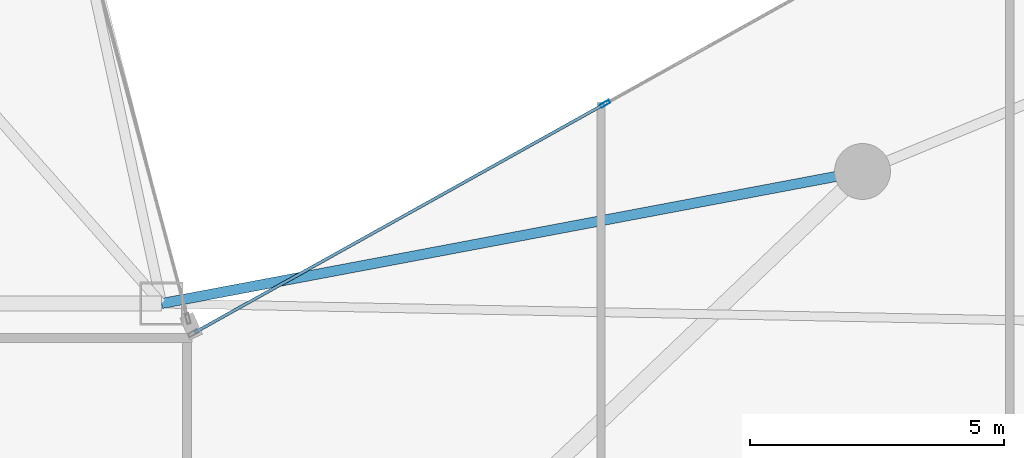
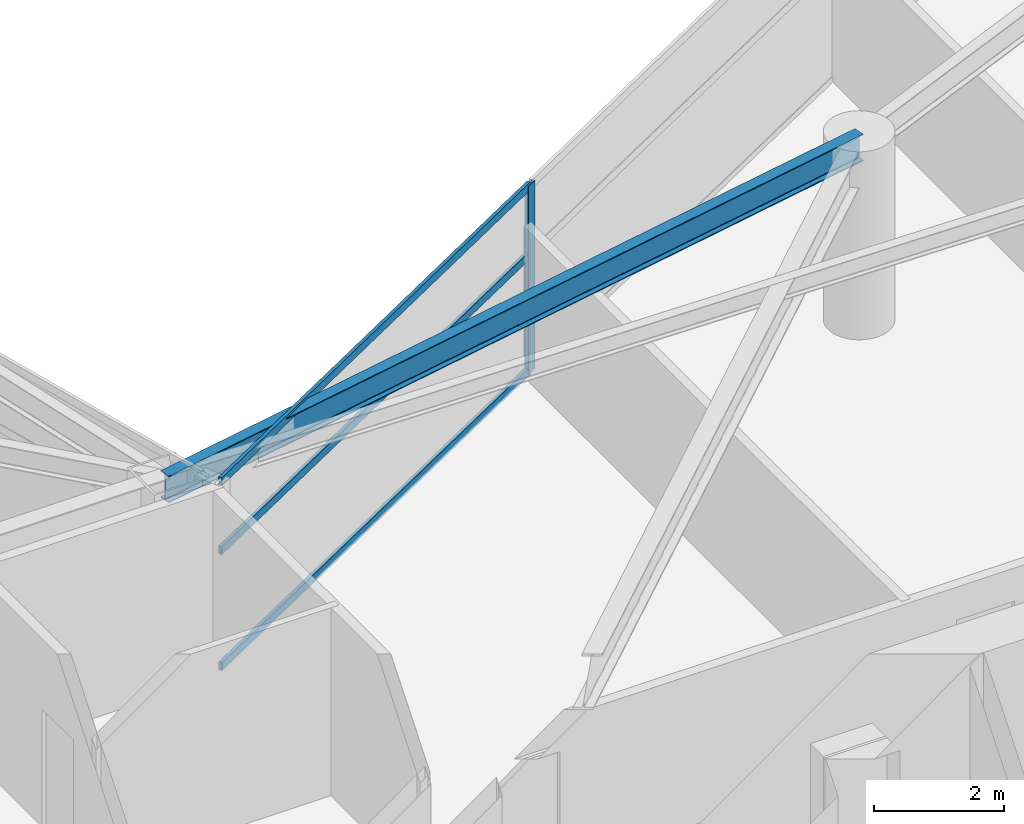
# One storey, part 11 of 28: 4 members, 1 beam, 1 element without a shape of its own.
"""IFC4 building model written with IfcOpenShell, lengths in metres."""

from ifc_helpers import new_model, si_unit, direction, frame, origin, origin_2d, place, context, subcontext, project, spatial, hollow_rectangle, i_section, extrude, material, layer, layer_set, material_profile, profile_set, type_object, element, aggregate, save


model = new_model("IFC4")

# Units and contexts
model_context = context("Model", 3, precision=1e-05, world=origin(), true_north=direction((0.0, 1.0)))
body_context = subcontext(model_context, "Body", "Model", "MODEL_VIEW")
ifc_project = project(units=[si_unit("LENGTHUNIT", "METRE"), si_unit("AREAUNIT", "SQUARE_METRE"), si_unit("VOLUMEUNIT", "CUBIC_METRE"), si_unit("PLANEANGLEUNIT", "RADIAN"), si_unit("MASSUNIT", "GRAM", prefix="KILO")], contexts=[model_context])

# Site, building, storey
site_placement = place(None, origin())
site = spatial("IfcSite", under=ifc_project, at=site_placement, CompositionType="ELEMENT")
building_placement = place(site_placement, origin())
building = spatial("IfcBuilding", under=site, at=building_placement, Name="Calvorn Quay Hotel", CompositionType="ELEMENT")
storey_placement = place(building_placement, frame((0.0, 0.0, 135.39990234375)))
storey = spatial("IfcBuildingStorey", under=building, at=storey_placement, Name="L33", CompositionType="ELEMENT", Elevation=135.39990234375)

# Beam
ifc_material_1 = material(Name="Steel Q355B", Category="steel")
ifc_material_profile_1 = material_profile(ifc_material_1, i_section(OverallWidth=0.199951171875, OverallDepth=0.5, WebThickness=0.010009765625, FlangeThickness=0.01611328125, FilletRadius=0.01611328125, at=origin_2d()), Name="HN500x200x10x16")
ifc_profile_set_1 = profile_set([ifc_material_profile_1], Name="Steel Q355B")
beam_type = type_object("IfcBeamType", Name="BM-SPANDREL-Z1", PredefinedType="SPANDREL", material=ifc_profile_set_1)
beam_placement = place(storey_placement, frame((34.800048828125, 27.60009765625, 3.27001953125), z_axis=(-0.982709432406, -0.185154452988, 0.0), x_axis=(0.185154452988, -0.982709432406, 0.0)))
element("IfcBeam", 1, at=beam_placement, inside=storey, type_object=beam_type, Name="Beam BSP-L33-E5", PredefinedType="SPANDREL", context=body_context, shape_type="SweptSolid", body=[
    extrude(i_section(OverallWidth=0.199951171875, OverallDepth=0.5, WebThickness=0.010009765625, FlangeThickness=0.01611328125, FilletRadius=0.01611328125, at=origin_2d()), origin(), (0.0, 0.0, 1.0), 14.04296875),
])

# Curtain wall, members
ifc_material_2 = material(Name="Pale Anodised Aluminium and Low-E Glass", Category="aluminium")
ifc_layer = layer(ifc_material_2, 0.219970703125)
ifc_layer_set = layer_set([ifc_layer], Name="CW-SYS-Z2")
curtain_wall_type = type_object("IfcCurtainWallType", Name="CW-SYS-Z2", PredefinedType="NOTDEFINED", material=ifc_layer_set)
curtain_wall_placement = place(storey_placement, origin())
curtain_wall = element("IfcCurtainWall", 2, at=curtain_wall_placement, inside=storey, type_object=curtain_wall_type, Name="Inner Court Curtain Wall L33-NE1", PredefinedType="NOTDEFINED")
ifc_material_3 = material(Name="Pale Anodised Aluminium 6063-T6", Category="aluminium")
ifc_material_profile_2 = material_profile(ifc_material_3, hollow_rectangle(XDim=0.070068359375, YDim=0.199951171875, WallThickness=0.00390625, at=origin_2d()), Name="ALU-M200x70x4")
ifc_profile_set_2 = profile_set([ifc_material_profile_2], Name="Pale Anodised Aluminium 6063-T6")
member_type_1 = type_object("IfcMemberType", Name="CW-SYS-Z2-MUL", PredefinedType="MULLION", material=ifc_profile_set_2)
member_1_placement = place(storey_placement, frame((29.7333984375, 28.933349609375, 0.0), z_axis=(0.0, 0.0, 1.0), x_axis=(0.486858256224, -0.873480989116, 0.0)))
member_1 = element("IfcMember", 3, at=member_1_placement, type_object=member_type_1, Name="CW-L33-NE1 mullion 3", PredefinedType="MULLION", context=body_context, shape_type="SweptSolid", body=[
    extrude(hollow_rectangle(XDim=0.070068359375, YDim=0.199951171875, WallThickness=0.00390625, at=origin_2d()), origin(), (0.0, 0.0, 1.0), 3.52001953125),
])
ifc_material_4 = material(Name="Pale Anodised Aluminium 6063-T6", Category="aluminium")
ifc_material_profile_3 = material_profile(ifc_material_4, hollow_rectangle(XDim=0.06005859375, YDim=0.14990234375, WallThickness=0.00341796875, at=origin_2d()), Name="ALU-T150x60x3.5")
ifc_profile_set_3 = profile_set([ifc_material_profile_3], Name="Pale Anodised Aluminium 6063-T6")
member_type_2 = type_object("IfcMemberType", Name="CW-SYS-Z2-TRN", PredefinedType="USERDEFINED", material=ifc_profile_set_3)
member_2_placement = place(storey_placement, frame((29.70703125, 28.918701171875, 0.030029296875), z_axis=(-0.87348080454, -0.486858587375, 0.0), x_axis=(0.486858587375, -0.87348080454, 0.0)))
member_2 = element("IfcMember", 4, at=member_2_placement, type_object=member_type_2, Name="CW-L33-NE1 transom 3.1", ObjectType="TRANSOM", PredefinedType="USERDEFINED", context=body_context, shape_type="SweptSolid", body=[
    extrude(hollow_rectangle(XDim=0.06005859375, YDim=0.14990234375, WallThickness=0.00341796875, at=origin_2d()), origin(), (0.0, 0.0, 1.0), 9.221435546875),
])
member_3_placement = place(storey_placement, frame((29.70703125, 28.918701171875, 2.2001953125), z_axis=(-0.87348080454, -0.486858587375, 0.0), x_axis=(0.486858587375, -0.87348080454, 0.0)))
member_3 = element("IfcMember", 5, at=member_3_placement, type_object=member_type_2, Name="CW-L33-NE1 transom 3.2", ObjectType="TRANSOM", PredefinedType="USERDEFINED", context=body_context, shape_type="SweptSolid", body=[
    extrude(hollow_rectangle(XDim=0.06005859375, YDim=0.14990234375, WallThickness=0.00341796875, at=origin_2d()), origin(), (0.0, 0.0, 1.0), 9.221435546875),
])
member_4_placement = place(storey_placement, frame((29.70703125, 28.918701171875, 3.489990234375), z_axis=(-0.87348080454, -0.486858587375, 0.0), x_axis=(0.486858587375, -0.87348080454, 0.0)))
member_4 = element("IfcMember", 6, at=member_4_placement, type_object=member_type_2, Name="CW-L33-NE1 transom 3.3", ObjectType="TRANSOM", PredefinedType="USERDEFINED", context=body_context, shape_type="SweptSolid", body=[
    extrude(hollow_rectangle(XDim=0.06005859375, YDim=0.14990234375, WallThickness=0.00341796875, at=origin_2d()), origin(), (0.0, 0.0, 1.0), 9.221435546875),
])
aggregate(curtain_wall, [member_1, member_2, member_3, member_4])

save(model, "model.ifc")
